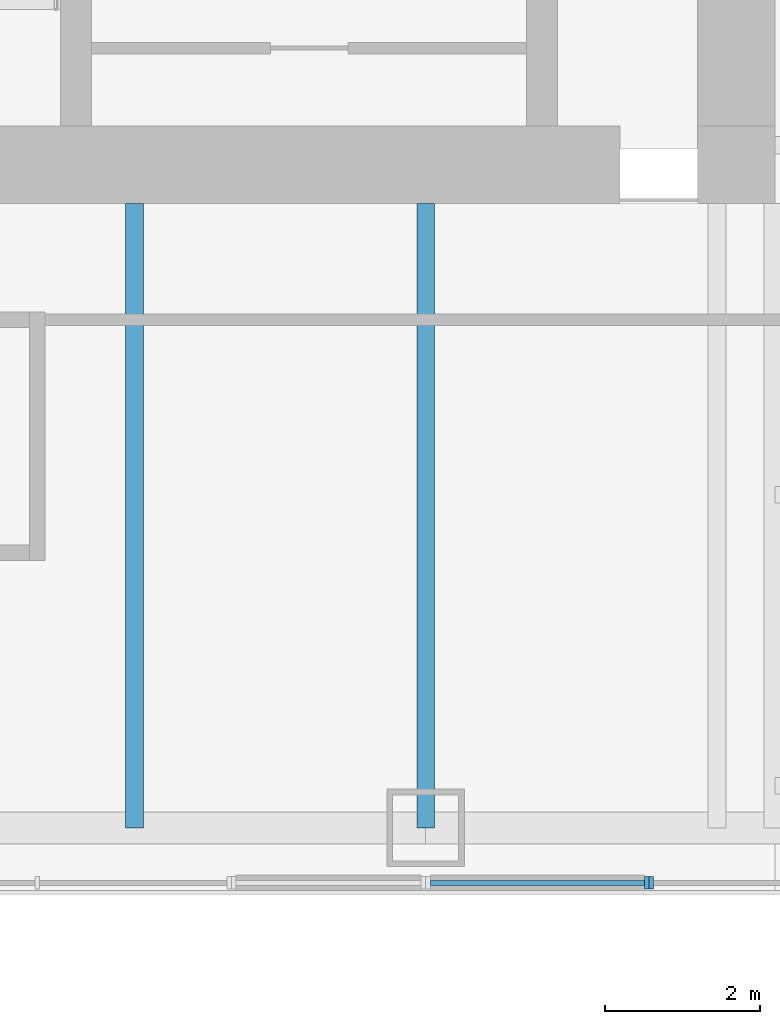
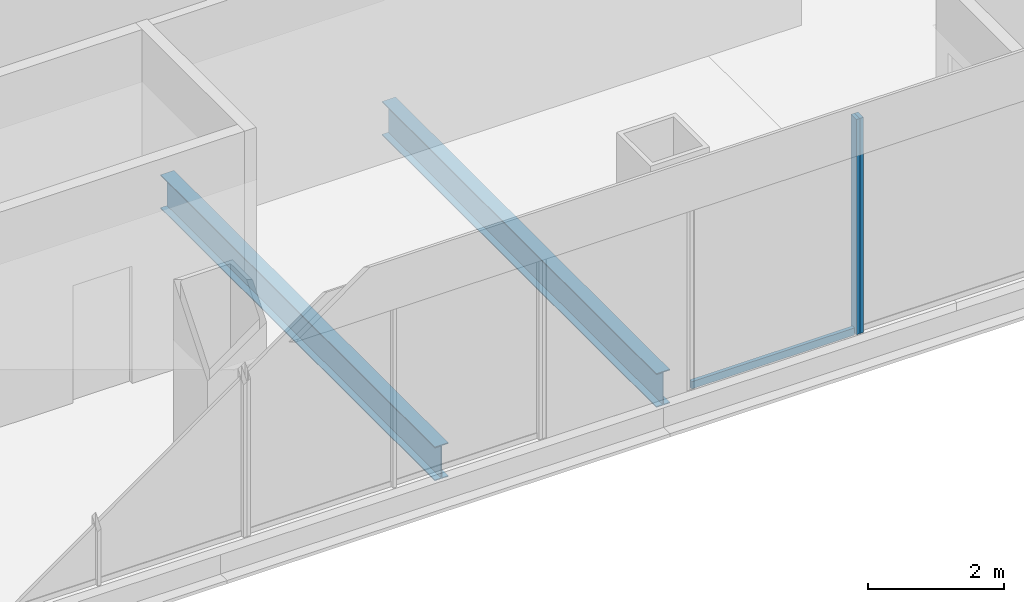
# One storey, part 3 of 14: 3 members, 2 beams, 2 elements without a shape of their own.
"""IFC4 building model written with IfcOpenShell, lengths in metres."""

import ifcopenshell
import ifcopenshell.guid

model = None  # the IFC model being written
_history = None  # IfcOwnerHistory: only IFC2X3 demands one
_inside = {}  # id of a spatial element -> (the spatial element, [elements in it])
_under = {}  # id of a project, library or spatial element -> (it, [spatial elements below it])
_declared = {}  # id of a project -> (the project, [libraries it declares])
_typed = {}  # id of a type object -> (the type object, [elements of that type])
_made_of = {}  # id of a material, layer set ... -> (it, [elements and type objects made of it])


def new_model(schema):
    """Start an empty IFC model of exactly this schema.

    Asked for "IFC4X3", IfcOpenShell would pick the latest addendum, in which some entities
    have other attributes; the version numbers below select the first issue.
    IFC2X3 requires an IfcOwnerHistory on every rooted entity: one is made here for all.
    """
    global model, _history
    if schema == "IFC4X3":
        model = ifcopenshell.file(schema_version=(4, 3, 0, 0))
    else:
        model = ifcopenshell.file(schema=schema)
    _inside.clear()
    _under.clear()
    _declared.clear()
    _typed.clear()
    _made_of.clear()
    _history = None
    if model.schema == "IFC2X3":
        org = make("IfcOrganization", Name="unknown")
        user = make(
            "IfcPersonAndOrganization",
            ThePerson=make("IfcPerson", FamilyName="unknown"),
            TheOrganization=org,
        )
        app = make(
            "IfcApplication",
            ApplicationDeveloper=org,
            Version="unknown",
            ApplicationFullName="unknown",
            ApplicationIdentifier="unknown",
        )
        _history = make(
            "IfcOwnerHistory",
            OwningUser=user,
            OwningApplication=app,
            ChangeAction="ADDED",
            CreationDate=0,
        )
    return model


def make(cls, **values):
    """One entity of the class cls with the attributes given. An attribute that is None is left unset."""
    return model.create_entity(
        cls, **{name: value for name, value in values.items() if value is not None}
    )


def rooted(cls, **values):
    """An entity with a GlobalId (a new one), such as an element, a storey or a relation."""
    return make(cls, GlobalId=ifcopenshell.guid.new(), OwnerHistory=_history, **values)


def si_unit(unit_type, name, prefix=None):
    """IfcSIUnit, for example si_unit("LENGTHUNIT", "METRE", prefix="MILLI")."""
    return make("IfcSIUnit", UnitType=unit_type, Prefix=prefix, Name=name)


def assignment(units):
    """IfcUnitAssignment: the units of a project."""
    return None if units is None else make("IfcUnitAssignment", Units=units)


def point(xyz):
    """IfcCartesianPoint."""
    return None if xyz is None else make("IfcCartesianPoint", Coordinates=xyz)


def direction(xyz):
    """IfcDirection."""
    return None if xyz is None else make("IfcDirection", DirectionRatios=xyz)


def frame(location, z_axis=None, x_axis=None):
    """IfcAxis2Placement3D, a coordinate frame: its origin and axes. An axis left out is left unset."""
    return make(
        "IfcAxis2Placement3D",
        Location=point(location),
        Axis=direction(z_axis),
        RefDirection=direction(x_axis),
    )


def frame_2d(location, x_axis=None):
    """IfcAxis2Placement2D, a coordinate frame in the plane: its origin and x axis."""
    return make(
        "IfcAxis2Placement2D", Location=point(location), RefDirection=direction(x_axis)
    )


def origin():
    """The frame at (0, 0, 0) with its axes left unset."""
    return frame((0.0, 0.0, 0.0))


def origin_2d():
    """The frame at (0, 0) in the plane with its x axis left unset."""
    return frame_2d((0.0, 0.0))


def place(relative_to, where):
    """IfcLocalPlacement: puts the frame where relative to a parent placement (None: the world)."""
    return make(
        "IfcLocalPlacement", PlacementRelTo=relative_to, RelativePlacement=where
    )


def context(
    kind, dimensions, precision=None, world=None, true_north=None, identifier=None
):
    """IfcGeometricRepresentationContext, for example the 3D "Model" context."""
    return make(
        "IfcGeometricRepresentationContext",
        ContextIdentifier=identifier,
        ContextType=kind,
        CoordinateSpaceDimension=dimensions,
        Precision=precision,
        WorldCoordinateSystem=world,
        TrueNorth=true_north,
    )


def subcontext(parent, identifier, kind, view, scale=None):
    """IfcGeometricRepresentationSubContext, for example "Body" below "Model"."""
    return make(
        "IfcGeometricRepresentationSubContext",
        ContextIdentifier=identifier,
        ContextType=kind,
        ParentContext=parent,
        TargetScale=scale,
        TargetView=view,
    )


def project(units=None, contexts=None):
    """IfcProject with its units and contexts."""
    return rooted(
        "IfcProject",
        Name="project",
        RepresentationContexts=contexts,
        UnitsInContext=assignment(units),
    )


def spatial(cls, under=None, at=None, **own):
    """A site, building, storey or space (cls), placed at a placement, below another one or the project."""
    s = rooted(cls, ObjectPlacement=at, **own)
    if under is not None:
        _under.setdefault(under.id(), (under, []))[1].append(s)
    return s


def profile(cls, at=None, kind="AREA", **sizes):
    """A parametric profile (cls). Its sizes go by their IFC names, for example OverallWidth=200.0."""
    return make(cls, ProfileType=kind, Position=at, **sizes)


def rectangle(**sizes):
    """IfcRectangleProfileDef."""
    return profile("IfcRectangleProfileDef", **sizes)


def i_section(**sizes):
    """IfcIShapeProfileDef."""
    return profile("IfcIShapeProfileDef", **sizes)


def extrude(swept, where, along, depth):
    """IfcExtrudedAreaSolid: the profile swept, set in the frame where, extruded along a direction by depth."""
    return make(
        "IfcExtrudedAreaSolid",
        SweptArea=swept,
        Position=where,
        ExtrudedDirection=direction(along),
        Depth=depth,
    )


def shape(context_of_items, identifier, shape_type, items):
    """IfcShapeRepresentation: the items that make up one representation, for example the "Body"."""
    return make(
        "IfcShapeRepresentation",
        ContextOfItems=context_of_items,
        RepresentationIdentifier=identifier,
        RepresentationType=shape_type,
        Items=items,
    )


def material(Name=None, Category=None):
    """IfcMaterial."""
    return make("IfcMaterial", Name=Name, Category=Category)


def material_profile(
    of_material, cross_section, Name=None, Category=None, Priority=None
):
    """IfcMaterialProfile: a cross section and its material."""
    return make(
        "IfcMaterialProfile",
        Name=Name,
        Material=of_material,
        Profile=cross_section,
        Priority=Priority,
        Category=Category,
    )


def profile_set(profiles, Name=None, composite=None):
    """IfcMaterialProfileSet."""
    return make(
        "IfcMaterialProfileSet",
        Name=Name,
        MaterialProfiles=profiles,
        CompositeProfile=composite,
    )


def made_of(thing, what):
    """Note that an element or type object is made of a material, layer set ...; save() writes the relation."""
    if what is not None:
        _made_of.setdefault(what.id(), (what, []))[1].append(thing)
    return thing


def type_object(cls, material=None, **own):
    """A type object (cls), such as IfcWallType, which elements share."""
    return made_of(rooted(cls, **own), material)


def element(
    cls,
    number,
    at=None,
    inside=None,
    cuts=None,
    type_object=None,
    material=None,
    context=None,
    identifier="Body",
    shape_type=None,
    held_by="IfcProductDefinitionShape",
    body=None,
    shapes=None,
    **own,
):
    """One element of the class cls, such as IfcWall. Its Tag is "e" and its number.

    at: its placement. inside: the storey or other place that contains it. cuts: it is an
    opening in that element (IfcRelVoidsElement). A single representation is given by context,
    identifier, shape_type and body (its items); several are given by shapes. held_by: the class
    of the entity that holds the representations. save() writes the other relations.
    """
    e = rooted(cls, Tag="e%d" % number, ObjectPlacement=at, **own)
    if body is not None:
        shapes = [shape(context, identifier, shape_type, body)]
    if shapes is not None:
        e.Representation = make(held_by, Representations=shapes)
    if inside is not None:
        _inside.setdefault(inside.id(), (inside, []))[1].append(e)
    if cuts is not None:
        rooted(
            "IfcRelVoidsElement", RelatingBuildingElement=cuts, RelatedOpeningElement=e
        )
    if type_object is not None:
        _typed.setdefault(type_object.id(), (type_object, []))[1].append(e)
    return made_of(e, material)


def aggregate(whole, parts):
    """IfcRelAggregates: a whole, such as a stair, and the parts it consists of."""
    return rooted("IfcRelAggregates", RelatingObject=whole, RelatedObjects=parts)


def save(model, path):
    """Write the relations noted so far, then the file.

    IfcRelAggregates (storeys below a building ...), IfcRelContainedInSpatialStructure (elements
    in a storey), IfcRelDefinesByType, IfcRelAssociatesMaterial and IfcRelDeclares: one each for
    every whole, place, type object, material and project.
    """
    for whole, parts in _under.values():
        aggregate(whole, parts)
    for where, things in _inside.values():
        rooted(
            "IfcRelContainedInSpatialStructure",
            RelatedElements=things,
            RelatingStructure=where,
        )
    for kind, things in _typed.values():
        rooted("IfcRelDefinesByType", RelatedObjects=things, RelatingType=kind)
    for what, things in _made_of.values():
        rooted("IfcRelAssociatesMaterial", RelatedObjects=things, RelatingMaterial=what)
    for by, libraries in _declared.values():
        rooted("IfcRelDeclares", RelatingContext=by, RelatedDefinitions=libraries)
    model.write(path)


model = new_model("IFC4")

# Units and contexts
model_context = context("Model", 3, precision=1e-05, world=origin(), true_north=direction((0.0, 1.0)))
body_context = subcontext(model_context, "Body", "Model", "MODEL_VIEW")
ifc_project = project(units=[si_unit("LENGTHUNIT", "METRE"), si_unit("AREAUNIT", "SQUARE_METRE"), si_unit("VOLUMEUNIT", "CUBIC_METRE"), si_unit("PLANEANGLEUNIT", "RADIAN"), si_unit("MASSUNIT", "GRAM", prefix="KILO")], contexts=[model_context])

# Site, building, storey
site_placement = place(None, origin())
site = spatial("IfcSite", under=ifc_project, at=site_placement, CompositionType="ELEMENT")
building_placement = place(site_placement, origin())
building = spatial("IfcBuilding", under=site, at=building_placement, Name="Tarangal Relay Tower", CompositionType="ELEMENT")
storey_placement = place(building_placement, frame((0.0, 0.0, 283.89990234375)))
storey = spatial("IfcBuildingStorey", under=building, at=storey_placement, Name="L62", CompositionType="ELEMENT", Elevation=283.89990234375)

# Beams
ifc_material_1 = material(Name="Steel ASTM A992", Category="steel")
ifc_material_profile_1 = material_profile(ifc_material_1, i_section(OverallWidth=0.228271484375, OverallDepth=0.607177734375, WebThickness=0.01123046875, FlangeThickness=0.017333984375, at=origin_2d()), Name="W24X76")
ifc_profile_set_1 = profile_set([ifc_material_profile_1], Name="Steel ASTM A992")
beam_type = type_object("IfcBeamType", Name="Floor beam W24X76", PredefinedType="BEAM", material=ifc_profile_set_1)
for number, where, z_axis, x_axis, name in (
    (1, (7.5, -12.0, -0.453369140625), (0.0, -1.0, 0.0), (1.0, 0.0, 0.0), "Floor beam RB5 S L62"),
    (2, (3.75, -12.0, -0.453369140625), (0.0, -1.0, 0.0), (1.0, 0.0, 0.0), "Floor beam RB5 S L62"),
):
    element("IfcBeam", number, at=place(storey_placement, frame(where, z_axis=z_axis, x_axis=x_axis)), inside=storey, type_object=beam_type, Name=name, PredefinedType="BEAM", context=body_context, shape_type="SweptSolid", body=[
        extrude(i_section(OverallWidth=0.228271484375, OverallDepth=0.607177734375, WebThickness=0.01123046875, FlangeThickness=0.017333984375, at=origin_2d()), origin(), (0.0, 0.0, 1.0), 8.0400390625),
    ])

# Curtain wall, member
ifc_material_2 = material(Name="Unitised curtain wall, dark glass and black aluminium", Category="aluminium")
curtain_wall_type_1 = type_object("IfcCurtainWallType", Name="Curtain wall CW-B", PredefinedType="USERDEFINED", material=ifc_material_2)
curtain_wall_1_placement = place(storey_placement, origin())
curtain_wall_1 = element("IfcCurtainWall", 3, at=curtain_wall_1_placement, inside=storey, type_object=curtain_wall_type_1, Name="Curtain wall CW-B S facade L62", ObjectType="UNITISED CURTAIN WALL", PredefinedType="USERDEFINED")
ifc_material_3 = material(Name="Black anodised aluminium mullion", Category="aluminium")
ifc_material_profile_2 = material_profile(ifc_material_3, rectangle(XDim=0.159912109375, YDim=0.06005859375, at=origin_2d()), Name="CW-BM 60X160")
ifc_profile_set_2 = profile_set([ifc_material_profile_2], Name="Black anodised aluminium mullion")
member_type_1 = type_object("IfcMemberType", Name="Mullion CW-B 60 x 160", PredefinedType="MULLION", material=ifc_profile_set_2)
member_1_placement = place(storey_placement, frame((10.405029296875, -20.75, 0.0), z_axis=(0.0, 0.0, 1.0), x_axis=(0.0, -1.0, 0.0)))
member_1 = element("IfcMember", 4, at=member_1_placement, type_object=member_type_1, Name="CW-B mullion 2", PredefinedType="MULLION", context=body_context, shape_type="SweptSolid", body=[
    extrude(rectangle(XDim=0.159912109375, YDim=0.06005859375, at=origin_2d()), origin(), (0.0, 0.0, 1.0), 3.85009765625),
])
aggregate(curtain_wall_1, [member_1])

# Curtain wall, members
ifc_material_4 = material(Name="Unitised curtain wall frame, black aluminium, with metal clad infill walls", Category="aluminium")
curtain_wall_type_2 = type_object("IfcCurtainWallType", Name="Curtain wall CW-BO", PredefinedType="USERDEFINED", material=ifc_material_4)
curtain_wall_2_placement = place(storey_placement, origin())
curtain_wall_2 = element("IfcCurtainWall", 5, at=curtain_wall_2_placement, inside=storey, type_object=curtain_wall_type_2, Name="Curtain wall CW-BO S facade L62", ObjectType="UNITISED CURTAIN WALL", PredefinedType="USERDEFINED")
ifc_material_profile_3 = material_profile(ifc_material_3, rectangle(XDim=0.159912109375, YDim=0.06005859375, at=origin_2d()), Name="CW-BOM 60X160")
ifc_profile_set_3 = profile_set([ifc_material_profile_3], Name="Black anodised aluminium mullion")
member_type_2 = type_object("IfcMemberType", Name="Mullion CW-BO 60 x 160", PredefinedType="MULLION", material=ifc_profile_set_3)
member_2_placement = place(storey_placement, frame((10.344970703125, -20.75, 0.0), z_axis=(0.0, 0.0, 1.0), x_axis=(0.0, -1.0, 0.0)))
member_2 = element("IfcMember", 6, at=member_2_placement, type_object=member_type_2, Name="CW-BO mullion 1", PredefinedType="MULLION", context=body_context, shape_type="SweptSolid", body=[
    extrude(rectangle(XDim=0.159912109375, YDim=0.06005859375, at=origin_2d()), origin(), (0.0, 0.0, 1.0), 3.85009765625),
])
ifc_material_5 = material(Name="Black anodised aluminium transom", Category="aluminium")
ifc_material_profile_4 = material_profile(ifc_material_5, rectangle(XDim=0.06005859375, YDim=0.1298828125, at=origin_2d()), Name="CW-BOT 60X130")
ifc_profile_set_4 = profile_set([ifc_material_profile_4], Name="Black anodised aluminium transom")
member_type_3 = type_object("IfcMemberType", Name="Transom CW-BO 60 x 130", PredefinedType="USERDEFINED", material=ifc_profile_set_4)
member_3_placement = place(storey_placement, frame((10.31494140625, -20.75, 0.030029296875), z_axis=(-1.0, 0.0, 0.0), x_axis=(0.0, -1.0, 0.0)))
member_3 = element("IfcMember", 7, at=member_3_placement, type_object=member_type_3, Name="CW-BO transom 1.1", ObjectType="TRANSOM", PredefinedType="USERDEFINED", context=body_context, shape_type="SweptSolid", body=[
    extrude(rectangle(XDim=0.06005859375, YDim=0.1298828125, at=origin_2d()), origin(), (0.0, 0.0, 1.0), 2.7548828125),
])
aggregate(curtain_wall_2, [member_2, member_3])

save(model, "model.ifc")
